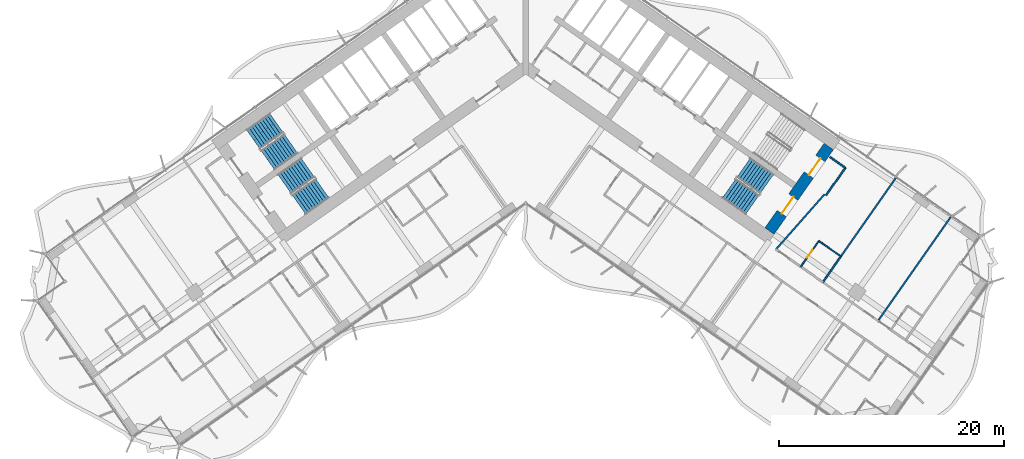
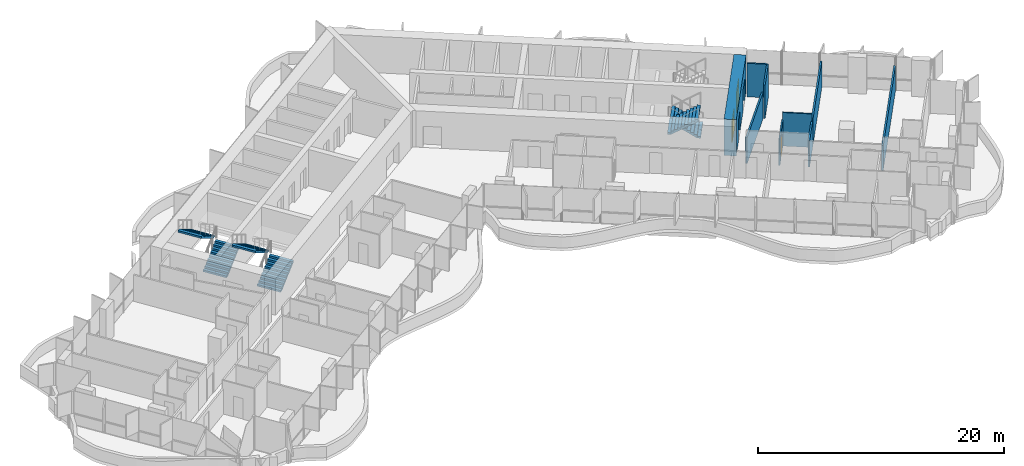
# One storey, part 16 of 23: 9 walls, 6 stair flights, 3 doors, 3 openings, 3 elements without a shape of their own.
"""IFC4 building model written with IfcOpenShell, lengths in metres."""

from ifc_helpers import new_model, si_unit, direction, frame, frame_2d, origin, place, context, subcontext, project, spatial, polyline, rectangle, outline, extrude, material, layer, layer_set, type_object, element, fill, aggregate, save


model = new_model("IFC4")

# Units and contexts
model_context = context("Model", 3, precision=1e-05, world=origin(), true_north=direction((0.0, 1.0)))
body_context = subcontext(model_context, "Body", "Model", "MODEL_VIEW")
ifc_project = project(units=[si_unit("LENGTHUNIT", "METRE"), si_unit("AREAUNIT", "SQUARE_METRE"), si_unit("VOLUMEUNIT", "CUBIC_METRE"), si_unit("PLANEANGLEUNIT", "RADIAN"), si_unit("MASSUNIT", "GRAM", prefix="KILO")], contexts=[model_context])

# Site, building, storey
site_placement = place(None, origin())
site = spatial("IfcSite", under=ifc_project, at=site_placement, CompositionType="ELEMENT")
building_placement = place(site_placement, origin())
building = spatial("IfcBuilding", under=site, at=building_placement, Name="Tel Ilan Convention Tower", CompositionType="ELEMENT")
storey_placement = place(building_placement, frame((0.0, 0.0, 79.699951171875)))
storey = spatial("IfcBuildingStorey", under=building, at=storey_placement, Name="L15", CompositionType="ELEMENT", Elevation=79.699951171875)

# Wall, openings, doors
ifc_material_1 = material(Name="Concrete C60/75", Category="concrete")
ifc_layer_1 = layer(ifc_material_1, 1.0)
ifc_layer_set_1 = layer_set([ifc_layer_1], Name="Core Shear Wall 1000 mm C60/75")
wall_type_1 = type_object("IfcWallType", Name="Core Shear Wall 1000 mm C60/75", PredefinedType="SHEAR", material=ifc_layer_set_1)
wall_1_placement = place(storey_placement, frame((21.70751953125, -15.19970703125, 0.0), z_axis=(0.0, 0.0, 1.0), x_axis=(0.573576324356, 0.819152122709, 0.0)))
wall_1 = element("IfcWall", 1, at=wall_1_placement, inside=storey, type_object=wall_type_1, Name="L15 core wall E-end", PredefinedType="SHEAR", context=body_context, shape_type="SweptSolid", body=[
    extrude(outline(polyline([(9.199951171875, 0.5), (0.0, 0.5), (0.0, -0.5), (9.199951171875, -0.5), (9.199951171875, 0.5)])), origin(), (0.0, 0.0, 1.0), 3.60009765625),
])
opening_1_placement = place(wall_1_placement, frame((6.10009765625, 0.0, 0.0)))
opening_1 = element("IfcOpeningElement", 2, at=opening_1_placement, cuts=wall_1, Name="Opening SD1503", PredefinedType="OPENING", context=body_context, shape_type="SweptSolid", body=[
    extrude(rectangle(XDim=1.800048828125, YDim=2.10009765625, at=frame_2d((0.89990234375, 1.050048828125))), frame((0.0, 0.510009765625, 0.0), z_axis=(0.0, -1.0, 0.0), x_axis=(1.0, 0.0, 0.0)), (0.0, 0.0, 1.0), 1.02001953125),
])
opening_2_placement = place(wall_1_placement, frame((1.89990234375, 0.0, 0.0)))
opening_2 = element("IfcOpeningElement", 3, at=opening_2_placement, cuts=wall_1, Name="Opening SD1504", PredefinedType="OPENING", context=body_context, shape_type="SweptSolid", body=[
    extrude(rectangle(XDim=1.800048828125, YDim=2.10009765625, at=frame_2d((0.89990234375, 1.050048828125))), frame((0.0, 0.510009765625, 0.0), z_axis=(0.0, -1.0, 0.0), x_axis=(1.0, 0.0, 0.0)), (0.0, 0.0, 1.0), 1.02001953125),
])
ifc_material_2 = material(Name="Galvanised Steel Door Leaf", Category="steel")
door_type_1 = type_object("IfcDoorType", Name="Stair Fire Door 1800 x 2100 FD60S", OperationType="NOTDEFINED", PredefinedType="DOOR", material=ifc_material_2)
door_1_placement = place(opening_1_placement, origin())
door_1 = element("IfcDoor", 4, at=door_1_placement, inside=storey, type_object=door_type_1, Name="Stair S3 door", OperationType="DOUBLE_DOOR_SINGLE_SWING", OverallHeight=2.10009765625, OverallWidth=1.800048828125, PredefinedType="DOOR", context=body_context, shape_type="SweptSolid", body=[
    extrude(rectangle(XDim=1.800048828125, YDim=2.10009765625, at=frame_2d((0.89990234375, 1.050048828125))), frame((0.0, 0.02490234375, 0.0), z_axis=(0.0, -1.0, 0.0), x_axis=(1.0, 0.0, 0.0)), (0.0, 0.0, 1.0), 0.050048828125),
])
fill(opening_1, door_1)
door_2_placement = place(opening_2_placement, origin())
door_2 = element("IfcDoor", 5, at=door_2_placement, inside=storey, type_object=door_type_1, Name="Stair S4 door", OperationType="DOUBLE_DOOR_SINGLE_SWING", OverallHeight=2.10009765625, OverallWidth=1.800048828125, PredefinedType="DOOR", context=body_context, shape_type="SweptSolid", body=[
    extrude(rectangle(XDim=1.800048828125, YDim=2.10009765625, at=frame_2d((0.89990234375, 1.050048828125))), frame((0.0, 0.02490234375, 0.0), z_axis=(0.0, -1.0, 0.0), x_axis=(1.0, 0.0, 0.0)), (0.0, 0.0, 1.0), 0.050048828125),
])
fill(opening_2, door_2)

# Walls
ifc_material_3 = material(Name="Plasterboard on Steel Studs", Category="steel")
ifc_layer_2 = layer(ifc_material_3, 0.14990234375)
ifc_layer_set_2 = layer_set([ifc_layer_2], Name="Fire-rated Partition 150 EI 60")
wall_type_2 = type_object("IfcWallType", Name="Fire-rated Partition 150 EI 60", PredefinedType="PARTITIONING", material=ifc_layer_set_2)
wall_2_placement = place(storey_placement, frame((32.93994140625, -10.49072265625, 0.0), z_axis=(0.0, 0.0, 1.0), x_axis=(-0.573593433868, -0.819140142237, 0.0)))
element("IfcWall", 6, at=wall_2_placement, inside=storey, type_object=wall_type_2, Name="Partition 038", PredefinedType="PARTITIONING", context=body_context, shape_type="SweptSolid", body=[
    extrude(rectangle(XDim=8.4990234375, YDim=0.14990234375, at=frame_2d((4.24951171875, 0.0))), origin(), (0.0, 0.0, 1.0), 2.60009765625),
])
wall_3_placement = place(storey_placement, frame((22.285400390625, -16.8251953125, 0.0), z_axis=(0.0, 0.0, 1.0), x_axis=(0.661551268245, 0.749899939647, 0.0)))
element("IfcWall", 7, at=wall_3_placement, inside=storey, type_object=wall_type_2, Name="Partition 039", PredefinedType="PARTITIONING", context=body_context, shape_type="SweptSolid", body=[
    extrude(rectangle(XDim=6.541015625, YDim=0.14990234375, at=frame_2d((3.2705078125, 0.0))), origin(), (0.0, 0.0, 1.0), 2.60009765625),
])
wall_4_placement = place(storey_placement, frame((26.74609375, -12.013671875, 0.0), z_axis=(0.0, 0.0, 1.0), x_axis=(0.573560650686, 0.819163097304, 0.0)))
element("IfcWall", 8, at=wall_4_placement, inside=storey, type_object=wall_type_2, Name="Partition 040", PredefinedType="PARTITIONING", context=body_context, shape_type="SweptSolid", body=[
    extrude(rectangle(XDim=3.0, YDim=0.14990234375, at=frame_2d((1.5, 0.0))), origin(), (0.0, 0.0, 1.0), 3.320068359375),
])
wall_5_placement = place(storey_placement, frame((28.466796875, -9.55615234375, 0.0), z_axis=(0.0, 0.0, 1.0), x_axis=(-0.819109000826, 0.573637903879, 0.0)))
element("IfcWall", 9, at=wall_5_placement, inside=storey, type_object=wall_type_2, Name="Partition 041", PredefinedType="PARTITIONING", context=body_context, shape_type="SweptSolid", body=[
    extrude(rectangle(XDim=1.679931640625, YDim=0.14990234375, at=frame_2d((0.83984375, 0.0))), origin(), (0.0, 0.0, 1.0), 3.320068359375),
])
wall_6_placement = place(storey_placement, frame((28.064453125, -17.45361328125, 0.0), z_axis=(0.0, 0.0, 1.0), x_axis=(-0.573550118428, -0.819170471667, 0.0)))
element("IfcWall", 10, at=wall_6_placement, inside=storey, type_object=wall_type_2, Name="Partition 042", PredefinedType="PARTITIONING", context=body_context, shape_type="SweptSolid", body=[
    extrude(rectangle(XDim=2.800048828125, YDim=0.14990234375, at=frame_2d((1.39990234375, 0.0))), origin(), (0.0, 0.0, 1.0), 2.60009765625),
])
wall_7_placement = place(storey_placement, frame((37.854736328125, -13.93212890625, 0.0), z_axis=(0.0, 0.0, 1.0), x_axis=(-0.573571089604, -0.819155788095, 0.0)))
element("IfcWall", 11, at=wall_7_placement, inside=storey, type_object=wall_type_2, Name="Partition 043", PredefinedType="PARTITIONING", context=body_context, shape_type="SweptSolid", body=[
    extrude(rectangle(XDim=11.300048828125, YDim=0.14990234375, at=frame_2d((5.64990234375, 0.0))), origin(), (0.0, 0.0, 1.0), 2.5),
])

# Wall, opening, door
ifc_material_4 = material(Name="Plasterboard on Steel Studs", Category="steel")
ifc_layer_3 = layer(ifc_material_4, 0.1201171875)
ifc_layer_set_3 = layer_set([ifc_layer_3], Name="Moisture-resistant Partition 120")
wall_type_3 = type_object("IfcWallType", Name="Moisture-resistant Partition 120", PredefinedType="PARTITIONING", material=ifc_layer_set_3)
wall_8_placement = place(storey_placement, frame((26.09765625, -16.076416015625, 0.0), z_axis=(0.0, 0.0, 1.0), x_axis=(-0.573550118428, -0.819170471667, 0.0)))
wall_8 = element("IfcWall", 12, at=wall_8_placement, inside=storey, type_object=wall_type_3, Name="Partition 036", PredefinedType="PARTITIONING", context=body_context, shape_type="SweptSolid", body=[
    extrude(rectangle(XDim=2.800048828125, YDim=0.1201171875, at=frame_2d((1.39990234375, 0.0))), origin(), (0.0, 0.0, 1.0), 2.60009765625),
])
opening_3_placement = place(wall_8_placement, frame((0.97509765625, 0.0, 0.0)))
opening_3 = element("IfcOpeningElement", 13, at=opening_3_placement, cuts=wall_8, Name="Opening L15-030", PredefinedType="OPENING", context=body_context, shape_type="SweptSolid", body=[
    extrude(rectangle(XDim=0.85009765625, YDim=2.050048828125, at=frame_2d((0.425048828125, 1.02490234375))), frame((0.0, 0.070068359375, 0.0), z_axis=(0.0, -1.0, 0.0), x_axis=(1.0, 0.0, 0.0)), (0.0, 0.0, 1.0), 0.14013671875),
])
ifc_material_5 = material(Name="Timber Door Leaf in Steel Frame", Category="steel")
door_type_2 = type_object("IfcDoorType", Name="Bathroom Timber Door 850x2050", OperationType="NOTDEFINED", PredefinedType="DOOR", material=ifc_material_5)
door_3_placement = place(opening_3_placement, origin())
door_3 = element("IfcDoor", 14, at=door_3_placement, inside=storey, type_object=door_type_2, Name="Door L15-030", OperationType="SINGLE_SWING_RIGHT", OverallHeight=2.050048828125, OverallWidth=0.85009765625, PredefinedType="DOOR", context=body_context, shape_type="SweptSolid", body=[
    extrude(rectangle(XDim=0.85009765625, YDim=2.050048828125, at=frame_2d((0.425048828125, 1.02490234375))), frame((0.0, 0.02490234375, 0.0), z_axis=(0.0, -1.0, 0.0), x_axis=(1.0, 0.0, 0.0)), (0.0, 0.0, 1.0), 0.050048828125),
])
fill(opening_3, door_3)

# Wall
wall_9_placement = place(storey_placement, frame((28.06494140625, -17.45263671875, 0.0), z_axis=(0.0, 0.0, 1.0), x_axis=(-0.819155442668, 0.573571582932, 0.0)))
element("IfcWall", 15, at=wall_9_placement, inside=storey, type_object=wall_type_3, Name="Partition 037", PredefinedType="PARTITIONING", context=body_context, shape_type="SweptSolid", body=[
    extrude(rectangle(XDim=2.39990234375, YDim=0.1201171875, at=frame_2d((1.199951171875, 0.0))), origin(), (0.0, 0.0, 1.0), 3.320068359375),
])

# Stair, stair flights
ifc_material_6 = material(Name="Concrete C40/50", Category="concrete")
stair_type = type_object("IfcStairType", Name="Pressurised Exit Stair 20 risers 180 mm", PredefinedType="HALF_TURN_STAIR", material=ifc_material_6)
stair_1_placement = place(storey_placement, origin())
stair_1 = element("IfcStair", 16, at=stair_1_placement, inside=storey, type_object=stair_type, Name="L15 Pressurised Stair S1", PredefinedType="HALF_TURN_STAIR")
ifc_material_7 = material(Name="Precast Concrete C40/50", Category="concrete")
stair_flight_type = type_object("IfcStairFlightType", Name="Concrete Stair Flight 2100 mm 20 risers 180 mm", PredefinedType="STRAIGHT", material=ifc_material_7)
stair_flight_1_placement = place(storey_placement, frame((-22.9619140625, -8.87548828125, 0.0), z_axis=(0.0, 0.0, 1.0), x_axis=(0.819152044289, 0.573576436351, 0.0)))
stair_flight_1 = element("IfcStairFlight", 17, at=stair_flight_1_placement, type_object=stair_flight_type, Name="S1 flight 1", NumberOfRisers=10, NumberOfTreads=9, PredefinedType="STRAIGHT", RiserHeight=0.18, TreadLength=0.28, context=body_context, shape_type="SweptSolid", body=[
    extrude(outline(polyline([(0.0, 0.0), (0.0, 0.179931640625), (0.280029296875, 0.179931640625), (0.280029296875, 0.360107421875), (0.56005859375, 0.360107421875), (0.56005859375, 0.5400390625), (0.840087890625, 0.5400390625), (0.840087890625, 0.719970703125), (1.1201171875, 0.719970703125), (1.1201171875, 0.89990234375), (1.39990234375, 0.89990234375), (1.39990234375, 1.080078125), (1.679931640625, 1.080078125), (1.679931640625, 1.260009765625), (1.9599609375, 1.260009765625), (1.9599609375, 1.43994140625), (2.239990234375, 1.43994140625), (2.239990234375, 1.6201171875), (2.52001953125, 1.6201171875), (2.52001953125, 1.800048828125), (2.52001953125, 1.44189453125), (0.277099609375, 0.0), (0.0, 0.0)])), frame((0.0, -0.100341796875, 0.0), z_axis=(0.0, -1.0, 0.0), x_axis=(1.0, 0.0, 0.0)), (0.0, 0.0, 1.0), 0.94970703125),
    extrude(outline(polyline([(0.0, 0.0), (0.0, 0.179931640625), (0.280029296875, 0.179931640625), (0.280029296875, 0.360107421875), (0.56005859375, 0.360107421875), (0.56005859375, 0.5400390625), (0.840087890625, 0.5400390625), (0.840087890625, 0.719970703125), (1.1201171875, 0.719970703125), (1.1201171875, 0.89990234375), (1.39990234375, 0.89990234375), (1.39990234375, 1.080078125), (1.679931640625, 1.080078125), (1.679931640625, 1.260009765625), (1.9599609375, 1.260009765625), (1.9599609375, 1.43994140625), (2.239990234375, 1.43994140625), (2.239990234375, 1.6201171875), (2.52001953125, 1.6201171875), (2.52001953125, 1.800048828125), (2.52001953125, 1.44189453125), (0.277099609375, 0.0), (0.0, 0.0)])), frame((0.0, -0.000244140625, 0.0), z_axis=(0.0, -1.0, 0.0), x_axis=(1.0, 0.0, 0.0)), (0.0, 0.0, 1.0), 0.099609375),
    extrude(outline(polyline([(0.0, 0.0), (0.0, 0.179931640625), (0.280029296875, 0.179931640625), (0.280029296875, 0.360107421875), (0.56005859375, 0.360107421875), (0.56005859375, 0.5400390625), (0.840087890625, 0.5400390625), (0.840087890625, 0.719970703125), (1.1201171875, 0.719970703125), (1.1201171875, 0.89990234375), (1.39990234375, 0.89990234375), (1.39990234375, 1.080078125), (1.679931640625, 1.080078125), (1.679931640625, 1.260009765625), (1.9599609375, 1.260009765625), (1.9599609375, 1.43994140625), (2.239990234375, 1.43994140625), (2.239990234375, 1.6201171875), (2.52001953125, 1.6201171875), (2.52001953125, 1.800048828125), (2.52001953125, 1.44189453125), (0.277099609375, 0.0), (0.0, 0.0)])), frame((0.0, 0.099853515625, 0.0), z_axis=(0.0, -1.0, 0.0), x_axis=(1.0, 0.0, 0.0)), (0.0, 0.0, 1.0), 0.099609375),
    extrude(outline(polyline([(0.0, 0.0), (0.0, 0.179931640625), (0.280029296875, 0.179931640625), (0.280029296875, 0.360107421875), (0.56005859375, 0.360107421875), (0.56005859375, 0.5400390625), (0.840087890625, 0.5400390625), (0.840087890625, 0.719970703125), (1.1201171875, 0.719970703125), (1.1201171875, 0.89990234375), (1.39990234375, 0.89990234375), (1.39990234375, 1.080078125), (1.679931640625, 1.080078125), (1.679931640625, 1.260009765625), (1.9599609375, 1.260009765625), (1.9599609375, 1.43994140625), (2.239990234375, 1.43994140625), (2.239990234375, 1.6201171875), (2.52001953125, 1.6201171875), (2.52001953125, 1.800048828125), (2.52001953125, 1.44189453125), (0.277099609375, 0.0), (0.0, 0.0)])), frame((0.0, 1.050048828125, 0.0), z_axis=(0.0, -1.0, 0.0), x_axis=(1.0, 0.0, 0.0)), (0.0, 0.0, 1.0), 0.94970703125),
])
stair_flight_2_placement = place(storey_placement, frame((-22.188232421875, -5.5869140625, 1.800048828125), z_axis=(0.0, 0.0, 1.0), x_axis=(-0.819152044289, -0.573576436351, 0.0)))
stair_flight_2 = element("IfcStairFlight", 18, at=stair_flight_2_placement, type_object=stair_flight_type, Name="S1 flight 2", NumberOfRisers=10, NumberOfTreads=9, PredefinedType="STRAIGHT", RiserHeight=0.18, TreadLength=0.28, context=body_context, shape_type="SweptSolid", body=[
    extrude(outline(polyline([(0.0, 0.0), (0.0, 0.179931640625), (0.280029296875, 0.179931640625), (0.280029296875, 0.360107421875), (0.56005859375, 0.360107421875), (0.56005859375, 0.5400390625), (0.840087890625, 0.5400390625), (0.840087890625, 0.719970703125), (1.1201171875, 0.719970703125), (1.1201171875, 0.89990234375), (1.39990234375, 0.89990234375), (1.39990234375, 1.080078125), (1.679931640625, 1.080078125), (1.679931640625, 1.260009765625), (1.9599609375, 1.260009765625), (1.9599609375, 1.43994140625), (2.239990234375, 1.43994140625), (2.239990234375, 1.6201171875), (2.52001953125, 1.6201171875), (2.52001953125, 1.800048828125), (2.52001953125, 1.44189453125), (0.277099609375, 0.0), (0.0, 0.0)])), frame((0.0, -0.100341796875, 0.0), z_axis=(0.0, -1.0, 0.0), x_axis=(1.0, 0.0, 0.0)), (0.0, 0.0, 1.0), 0.94970703125),
    extrude(outline(polyline([(0.0, 0.0), (0.0, 0.179931640625), (0.280029296875, 0.179931640625), (0.280029296875, 0.360107421875), (0.56005859375, 0.360107421875), (0.56005859375, 0.5400390625), (0.840087890625, 0.5400390625), (0.840087890625, 0.719970703125), (1.1201171875, 0.719970703125), (1.1201171875, 0.89990234375), (1.39990234375, 0.89990234375), (1.39990234375, 1.080078125), (1.679931640625, 1.080078125), (1.679931640625, 1.260009765625), (1.9599609375, 1.260009765625), (1.9599609375, 1.43994140625), (2.239990234375, 1.43994140625), (2.239990234375, 1.6201171875), (2.52001953125, 1.6201171875), (2.52001953125, 1.800048828125), (2.52001953125, 1.44189453125), (0.277099609375, 0.0), (0.0, 0.0)])), frame((0.0, -0.000244140625, 0.0), z_axis=(0.0, -1.0, 0.0), x_axis=(1.0, 0.0, 0.0)), (0.0, 0.0, 1.0), 0.099609375),
    extrude(outline(polyline([(0.0, 0.0), (0.0, 0.179931640625), (0.280029296875, 0.179931640625), (0.280029296875, 0.360107421875), (0.56005859375, 0.360107421875), (0.56005859375, 0.5400390625), (0.840087890625, 0.5400390625), (0.840087890625, 0.719970703125), (1.1201171875, 0.719970703125), (1.1201171875, 0.89990234375), (1.39990234375, 0.89990234375), (1.39990234375, 1.080078125), (1.679931640625, 1.080078125), (1.679931640625, 1.260009765625), (1.9599609375, 1.260009765625), (1.9599609375, 1.43994140625), (2.239990234375, 1.43994140625), (2.239990234375, 1.6201171875), (2.52001953125, 1.6201171875), (2.52001953125, 1.800048828125), (2.52001953125, 1.44189453125), (0.277099609375, 0.0), (0.0, 0.0)])), frame((0.0, 0.099853515625, 0.0), z_axis=(0.0, -1.0, 0.0), x_axis=(1.0, 0.0, 0.0)), (0.0, 0.0, 1.0), 0.099609375),
    extrude(outline(polyline([(0.0, 0.0), (0.0, 0.179931640625), (0.280029296875, 0.179931640625), (0.280029296875, 0.360107421875), (0.56005859375, 0.360107421875), (0.56005859375, 0.5400390625), (0.840087890625, 0.5400390625), (0.840087890625, 0.719970703125), (1.1201171875, 0.719970703125), (1.1201171875, 0.89990234375), (1.39990234375, 0.89990234375), (1.39990234375, 1.080078125), (1.679931640625, 1.080078125), (1.679931640625, 1.260009765625), (1.9599609375, 1.260009765625), (1.9599609375, 1.43994140625), (2.239990234375, 1.43994140625), (2.239990234375, 1.6201171875), (2.52001953125, 1.6201171875), (2.52001953125, 1.800048828125), (2.52001953125, 1.44189453125), (0.277099609375, 0.0), (0.0, 0.0)])), frame((0.0, 1.050048828125, 0.0), z_axis=(0.0, -1.0, 0.0), x_axis=(1.0, 0.0, 0.0)), (0.0, 0.0, 1.0), 0.94970703125),
])
aggregate(stair_1, [stair_flight_1, stair_flight_2])

stair_2_placement = place(storey_placement, origin())
stair_2 = element("IfcStair", 19, at=stair_2_placement, inside=storey, type_object=stair_type, Name="L15 Pressurised Stair S2", PredefinedType="HALF_TURN_STAIR")
stair_flight_3_placement = place(storey_placement, frame((-20.179931640625, -12.848388671875, 0.0), z_axis=(0.0, 0.0, 1.0), x_axis=(0.819152044289, 0.573576436351, 0.0)))
stair_flight_3 = element("IfcStairFlight", 20, at=stair_flight_3_placement, type_object=stair_flight_type, Name="S2 flight 1", NumberOfRisers=10, NumberOfTreads=9, PredefinedType="STRAIGHT", RiserHeight=0.18, TreadLength=0.28, context=body_context, shape_type="SweptSolid", body=[
    extrude(outline(polyline([(0.0, 0.0), (0.0, 0.179931640625), (0.280029296875, 0.179931640625), (0.280029296875, 0.360107421875), (0.56005859375, 0.360107421875), (0.56005859375, 0.5400390625), (0.840087890625, 0.5400390625), (0.840087890625, 0.719970703125), (1.1201171875, 0.719970703125), (1.1201171875, 0.89990234375), (1.39990234375, 0.89990234375), (1.39990234375, 1.080078125), (1.679931640625, 1.080078125), (1.679931640625, 1.260009765625), (1.9599609375, 1.260009765625), (1.9599609375, 1.43994140625), (2.239990234375, 1.43994140625), (2.239990234375, 1.6201171875), (2.52001953125, 1.6201171875), (2.52001953125, 1.800048828125), (2.52001953125, 1.44189453125), (0.277099609375, 0.0), (0.0, 0.0)])), frame((0.0, -0.100341796875, 0.0), z_axis=(0.0, -1.0, 0.0), x_axis=(1.0, 0.0, 0.0)), (0.0, 0.0, 1.0), 0.94970703125),
    extrude(outline(polyline([(0.0, 0.0), (0.0, 0.179931640625), (0.280029296875, 0.179931640625), (0.280029296875, 0.360107421875), (0.56005859375, 0.360107421875), (0.56005859375, 0.5400390625), (0.840087890625, 0.5400390625), (0.840087890625, 0.719970703125), (1.1201171875, 0.719970703125), (1.1201171875, 0.89990234375), (1.39990234375, 0.89990234375), (1.39990234375, 1.080078125), (1.679931640625, 1.080078125), (1.679931640625, 1.260009765625), (1.9599609375, 1.260009765625), (1.9599609375, 1.43994140625), (2.239990234375, 1.43994140625), (2.239990234375, 1.6201171875), (2.52001953125, 1.6201171875), (2.52001953125, 1.800048828125), (2.52001953125, 1.44189453125), (0.277099609375, 0.0), (0.0, 0.0)])), frame((0.0, -0.000244140625, 0.0), z_axis=(0.0, -1.0, 0.0), x_axis=(1.0, 0.0, 0.0)), (0.0, 0.0, 1.0), 0.099609375),
    extrude(outline(polyline([(0.0, 0.0), (0.0, 0.179931640625), (0.280029296875, 0.179931640625), (0.280029296875, 0.360107421875), (0.56005859375, 0.360107421875), (0.56005859375, 0.5400390625), (0.840087890625, 0.5400390625), (0.840087890625, 0.719970703125), (1.1201171875, 0.719970703125), (1.1201171875, 0.89990234375), (1.39990234375, 0.89990234375), (1.39990234375, 1.080078125), (1.679931640625, 1.080078125), (1.679931640625, 1.260009765625), (1.9599609375, 1.260009765625), (1.9599609375, 1.43994140625), (2.239990234375, 1.43994140625), (2.239990234375, 1.6201171875), (2.52001953125, 1.6201171875), (2.52001953125, 1.800048828125), (2.52001953125, 1.44189453125), (0.277099609375, 0.0), (0.0, 0.0)])), frame((0.0, 0.099853515625, 0.0), z_axis=(0.0, -1.0, 0.0), x_axis=(1.0, 0.0, 0.0)), (0.0, 0.0, 1.0), 0.099609375),
    extrude(outline(polyline([(0.0, 0.0), (0.0, 0.179931640625), (0.280029296875, 0.179931640625), (0.280029296875, 0.360107421875), (0.56005859375, 0.360107421875), (0.56005859375, 0.5400390625), (0.840087890625, 0.5400390625), (0.840087890625, 0.719970703125), (1.1201171875, 0.719970703125), (1.1201171875, 0.89990234375), (1.39990234375, 0.89990234375), (1.39990234375, 1.080078125), (1.679931640625, 1.080078125), (1.679931640625, 1.260009765625), (1.9599609375, 1.260009765625), (1.9599609375, 1.43994140625), (2.239990234375, 1.43994140625), (2.239990234375, 1.6201171875), (2.52001953125, 1.6201171875), (2.52001953125, 1.800048828125), (2.52001953125, 1.44189453125), (0.277099609375, 0.0), (0.0, 0.0)])), frame((0.0, 1.050048828125, 0.0), z_axis=(0.0, -1.0, 0.0), x_axis=(1.0, 0.0, 0.0)), (0.0, 0.0, 1.0), 0.94970703125),
])
stair_flight_4_placement = place(storey_placement, frame((-19.40625, -9.559814453125, 1.800048828125), z_axis=(0.0, 0.0, 1.0), x_axis=(-0.819152044289, -0.573576436351, 0.0)))
stair_flight_4 = element("IfcStairFlight", 21, at=stair_flight_4_placement, type_object=stair_flight_type, Name="S2 flight 2", NumberOfRisers=10, NumberOfTreads=9, PredefinedType="STRAIGHT", RiserHeight=0.18, TreadLength=0.28, context=body_context, shape_type="SweptSolid", body=[
    extrude(outline(polyline([(0.0, 0.0), (0.0, 0.179931640625), (0.280029296875, 0.179931640625), (0.280029296875, 0.360107421875), (0.56005859375, 0.360107421875), (0.56005859375, 0.5400390625), (0.840087890625, 0.5400390625), (0.840087890625, 0.719970703125), (1.1201171875, 0.719970703125), (1.1201171875, 0.89990234375), (1.39990234375, 0.89990234375), (1.39990234375, 1.080078125), (1.679931640625, 1.080078125), (1.679931640625, 1.260009765625), (1.9599609375, 1.260009765625), (1.9599609375, 1.43994140625), (2.239990234375, 1.43994140625), (2.239990234375, 1.6201171875), (2.52001953125, 1.6201171875), (2.52001953125, 1.800048828125), (2.52001953125, 1.44189453125), (0.277099609375, 0.0), (0.0, 0.0)])), frame((0.0, -0.100341796875, 0.0), z_axis=(0.0, -1.0, 0.0), x_axis=(1.0, 0.0, 0.0)), (0.0, 0.0, 1.0), 0.94970703125),
    extrude(outline(polyline([(0.0, 0.0), (0.0, 0.179931640625), (0.280029296875, 0.179931640625), (0.280029296875, 0.360107421875), (0.56005859375, 0.360107421875), (0.56005859375, 0.5400390625), (0.840087890625, 0.5400390625), (0.840087890625, 0.719970703125), (1.1201171875, 0.719970703125), (1.1201171875, 0.89990234375), (1.39990234375, 0.89990234375), (1.39990234375, 1.080078125), (1.679931640625, 1.080078125), (1.679931640625, 1.260009765625), (1.9599609375, 1.260009765625), (1.9599609375, 1.43994140625), (2.239990234375, 1.43994140625), (2.239990234375, 1.6201171875), (2.52001953125, 1.6201171875), (2.52001953125, 1.800048828125), (2.52001953125, 1.44189453125), (0.277099609375, 0.0), (0.0, 0.0)])), frame((0.0, -0.000244140625, 0.0), z_axis=(0.0, -1.0, 0.0), x_axis=(1.0, 0.0, 0.0)), (0.0, 0.0, 1.0), 0.099609375),
    extrude(outline(polyline([(0.0, 0.0), (0.0, 0.179931640625), (0.280029296875, 0.179931640625), (0.280029296875, 0.360107421875), (0.56005859375, 0.360107421875), (0.56005859375, 0.5400390625), (0.840087890625, 0.5400390625), (0.840087890625, 0.719970703125), (1.1201171875, 0.719970703125), (1.1201171875, 0.89990234375), (1.39990234375, 0.89990234375), (1.39990234375, 1.080078125), (1.679931640625, 1.080078125), (1.679931640625, 1.260009765625), (1.9599609375, 1.260009765625), (1.9599609375, 1.43994140625), (2.239990234375, 1.43994140625), (2.239990234375, 1.6201171875), (2.52001953125, 1.6201171875), (2.52001953125, 1.800048828125), (2.52001953125, 1.44189453125), (0.277099609375, 0.0), (0.0, 0.0)])), frame((0.0, 0.099853515625, 0.0), z_axis=(0.0, -1.0, 0.0), x_axis=(1.0, 0.0, 0.0)), (0.0, 0.0, 1.0), 0.099609375),
    extrude(outline(polyline([(0.0, 0.0), (0.0, 0.179931640625), (0.280029296875, 0.179931640625), (0.280029296875, 0.360107421875), (0.56005859375, 0.360107421875), (0.56005859375, 0.5400390625), (0.840087890625, 0.5400390625), (0.840087890625, 0.719970703125), (1.1201171875, 0.719970703125), (1.1201171875, 0.89990234375), (1.39990234375, 0.89990234375), (1.39990234375, 1.080078125), (1.679931640625, 1.080078125), (1.679931640625, 1.260009765625), (1.9599609375, 1.260009765625), (1.9599609375, 1.43994140625), (2.239990234375, 1.43994140625), (2.239990234375, 1.6201171875), (2.52001953125, 1.6201171875), (2.52001953125, 1.800048828125), (2.52001953125, 1.44189453125), (0.277099609375, 0.0), (0.0, 0.0)])), frame((0.0, 1.050048828125, 0.0), z_axis=(0.0, -1.0, 0.0), x_axis=(1.0, 0.0, 0.0)), (0.0, 0.0, 1.0), 0.94970703125),
])
aggregate(stair_2, [stair_flight_3, stair_flight_4])

stair_3_placement = place(storey_placement, origin())
stair_3 = element("IfcStair", 22, at=stair_3_placement, inside=storey, type_object=stair_type, Name="L15 Pressurised Stair S4", PredefinedType="HALF_TURN_STAIR")
stair_flight_5_placement = place(storey_placement, frame((21.470458984375, -11.00537109375, 0.0), z_axis=(0.0, 0.0, 1.0), x_axis=(-0.819152044289, 0.573576436351, 0.0)))
stair_flight_5 = element("IfcStairFlight", 23, at=stair_flight_5_placement, type_object=stair_flight_type, Name="S4 flight 1", NumberOfRisers=10, NumberOfTreads=9, PredefinedType="STRAIGHT", RiserHeight=0.18, TreadLength=0.28, context=body_context, shape_type="SweptSolid", body=[
    extrude(outline(polyline([(0.0, 0.0), (0.0, 0.179931640625), (0.280029296875, 0.179931640625), (0.280029296875, 0.360107421875), (0.56005859375, 0.360107421875), (0.56005859375, 0.5400390625), (0.840087890625, 0.5400390625), (0.840087890625, 0.719970703125), (1.1201171875, 0.719970703125), (1.1201171875, 0.89990234375), (1.39990234375, 0.89990234375), (1.39990234375, 1.080078125), (1.679931640625, 1.080078125), (1.679931640625, 1.260009765625), (1.9599609375, 1.260009765625), (1.9599609375, 1.43994140625), (2.239990234375, 1.43994140625), (2.239990234375, 1.6201171875), (2.52001953125, 1.6201171875), (2.52001953125, 1.800048828125), (2.52001953125, 1.44189453125), (0.277099609375, 0.0), (0.0, 0.0)])), frame((0.0, -0.100341796875, 0.0), z_axis=(0.0, -1.0, 0.0), x_axis=(1.0, 0.0, 0.0)), (0.0, 0.0, 1.0), 0.94970703125),
    extrude(outline(polyline([(0.0, 0.0), (0.0, 0.179931640625), (0.280029296875, 0.179931640625), (0.280029296875, 0.360107421875), (0.56005859375, 0.360107421875), (0.56005859375, 0.5400390625), (0.840087890625, 0.5400390625), (0.840087890625, 0.719970703125), (1.1201171875, 0.719970703125), (1.1201171875, 0.89990234375), (1.39990234375, 0.89990234375), (1.39990234375, 1.080078125), (1.679931640625, 1.080078125), (1.679931640625, 1.260009765625), (1.9599609375, 1.260009765625), (1.9599609375, 1.43994140625), (2.239990234375, 1.43994140625), (2.239990234375, 1.6201171875), (2.52001953125, 1.6201171875), (2.52001953125, 1.800048828125), (2.52001953125, 1.44189453125), (0.277099609375, 0.0), (0.0, 0.0)])), frame((0.0, -0.000244140625, 0.0), z_axis=(0.0, -1.0, 0.0), x_axis=(1.0, 0.0, 0.0)), (0.0, 0.0, 1.0), 0.099609375),
    extrude(outline(polyline([(0.0, 0.0), (0.0, 0.179931640625), (0.280029296875, 0.179931640625), (0.280029296875, 0.360107421875), (0.56005859375, 0.360107421875), (0.56005859375, 0.5400390625), (0.840087890625, 0.5400390625), (0.840087890625, 0.719970703125), (1.1201171875, 0.719970703125), (1.1201171875, 0.89990234375), (1.39990234375, 0.89990234375), (1.39990234375, 1.080078125), (1.679931640625, 1.080078125), (1.679931640625, 1.260009765625), (1.9599609375, 1.260009765625), (1.9599609375, 1.43994140625), (2.239990234375, 1.43994140625), (2.239990234375, 1.6201171875), (2.52001953125, 1.6201171875), (2.52001953125, 1.800048828125), (2.52001953125, 1.44189453125), (0.277099609375, 0.0), (0.0, 0.0)])), frame((0.0, 0.099853515625, 0.0), z_axis=(0.0, -1.0, 0.0), x_axis=(1.0, 0.0, 0.0)), (0.0, 0.0, 1.0), 0.099609375),
    extrude(outline(polyline([(0.0, 0.0), (0.0, 0.179931640625), (0.280029296875, 0.179931640625), (0.280029296875, 0.360107421875), (0.56005859375, 0.360107421875), (0.56005859375, 0.5400390625), (0.840087890625, 0.5400390625), (0.840087890625, 0.719970703125), (1.1201171875, 0.719970703125), (1.1201171875, 0.89990234375), (1.39990234375, 0.89990234375), (1.39990234375, 1.080078125), (1.679931640625, 1.080078125), (1.679931640625, 1.260009765625), (1.9599609375, 1.260009765625), (1.9599609375, 1.43994140625), (2.239990234375, 1.43994140625), (2.239990234375, 1.6201171875), (2.52001953125, 1.6201171875), (2.52001953125, 1.800048828125), (2.52001953125, 1.44189453125), (0.277099609375, 0.0), (0.0, 0.0)])), frame((0.0, 1.050048828125, 0.0), z_axis=(0.0, -1.0, 0.0), x_axis=(1.0, 0.0, 0.0)), (0.0, 0.0, 1.0), 0.94970703125),
])
stair_flight_6_placement = place(storey_placement, frame((18.11572265625, -11.403076171875, 1.800048828125), z_axis=(0.0, 0.0, 1.0), x_axis=(0.819152044289, -0.573576436351, 0.0)))
stair_flight_6 = element("IfcStairFlight", 24, at=stair_flight_6_placement, type_object=stair_flight_type, Name="S4 flight 2", NumberOfRisers=10, NumberOfTreads=9, PredefinedType="STRAIGHT", RiserHeight=0.18, TreadLength=0.28, context=body_context, shape_type="SweptSolid", body=[
    extrude(outline(polyline([(0.0, 0.0), (0.0, 0.179931640625), (0.280029296875, 0.179931640625), (0.280029296875, 0.360107421875), (0.56005859375, 0.360107421875), (0.56005859375, 0.5400390625), (0.840087890625, 0.5400390625), (0.840087890625, 0.719970703125), (1.1201171875, 0.719970703125), (1.1201171875, 0.89990234375), (1.39990234375, 0.89990234375), (1.39990234375, 1.080078125), (1.679931640625, 1.080078125), (1.679931640625, 1.260009765625), (1.9599609375, 1.260009765625), (1.9599609375, 1.43994140625), (2.239990234375, 1.43994140625), (2.239990234375, 1.6201171875), (2.52001953125, 1.6201171875), (2.52001953125, 1.800048828125), (2.52001953125, 1.44189453125), (0.277099609375, 0.0), (0.0, 0.0)])), frame((0.0, -0.100341796875, 0.0), z_axis=(0.0, -1.0, 0.0), x_axis=(1.0, 0.0, 0.0)), (0.0, 0.0, 1.0), 0.94970703125),
    extrude(outline(polyline([(0.0, 0.0), (0.0, 0.179931640625), (0.280029296875, 0.179931640625), (0.280029296875, 0.360107421875), (0.56005859375, 0.360107421875), (0.56005859375, 0.5400390625), (0.840087890625, 0.5400390625), (0.840087890625, 0.719970703125), (1.1201171875, 0.719970703125), (1.1201171875, 0.89990234375), (1.39990234375, 0.89990234375), (1.39990234375, 1.080078125), (1.679931640625, 1.080078125), (1.679931640625, 1.260009765625), (1.9599609375, 1.260009765625), (1.9599609375, 1.43994140625), (2.239990234375, 1.43994140625), (2.239990234375, 1.6201171875), (2.52001953125, 1.6201171875), (2.52001953125, 1.800048828125), (2.52001953125, 1.44189453125), (0.277099609375, 0.0), (0.0, 0.0)])), frame((0.0, -0.000244140625, 0.0), z_axis=(0.0, -1.0, 0.0), x_axis=(1.0, 0.0, 0.0)), (0.0, 0.0, 1.0), 0.099609375),
    extrude(outline(polyline([(0.0, 0.0), (0.0, 0.179931640625), (0.280029296875, 0.179931640625), (0.280029296875, 0.360107421875), (0.56005859375, 0.360107421875), (0.56005859375, 0.5400390625), (0.840087890625, 0.5400390625), (0.840087890625, 0.719970703125), (1.1201171875, 0.719970703125), (1.1201171875, 0.89990234375), (1.39990234375, 0.89990234375), (1.39990234375, 1.080078125), (1.679931640625, 1.080078125), (1.679931640625, 1.260009765625), (1.9599609375, 1.260009765625), (1.9599609375, 1.43994140625), (2.239990234375, 1.43994140625), (2.239990234375, 1.6201171875), (2.52001953125, 1.6201171875), (2.52001953125, 1.800048828125), (2.52001953125, 1.44189453125), (0.277099609375, 0.0), (0.0, 0.0)])), frame((0.0, 0.099853515625, 0.0), z_axis=(0.0, -1.0, 0.0), x_axis=(1.0, 0.0, 0.0)), (0.0, 0.0, 1.0), 0.099609375),
    extrude(outline(polyline([(0.0, 0.0), (0.0, 0.179931640625), (0.280029296875, 0.179931640625), (0.280029296875, 0.360107421875), (0.56005859375, 0.360107421875), (0.56005859375, 0.5400390625), (0.840087890625, 0.5400390625), (0.840087890625, 0.719970703125), (1.1201171875, 0.719970703125), (1.1201171875, 0.89990234375), (1.39990234375, 0.89990234375), (1.39990234375, 1.080078125), (1.679931640625, 1.080078125), (1.679931640625, 1.260009765625), (1.9599609375, 1.260009765625), (1.9599609375, 1.43994140625), (2.239990234375, 1.43994140625), (2.239990234375, 1.6201171875), (2.52001953125, 1.6201171875), (2.52001953125, 1.800048828125), (2.52001953125, 1.44189453125), (0.277099609375, 0.0), (0.0, 0.0)])), frame((0.0, 1.050048828125, 0.0), z_axis=(0.0, -1.0, 0.0), x_axis=(1.0, 0.0, 0.0)), (0.0, 0.0, 1.0), 0.94970703125),
])
aggregate(stair_3, [stair_flight_5, stair_flight_6])

save(model, "model.ifc")
